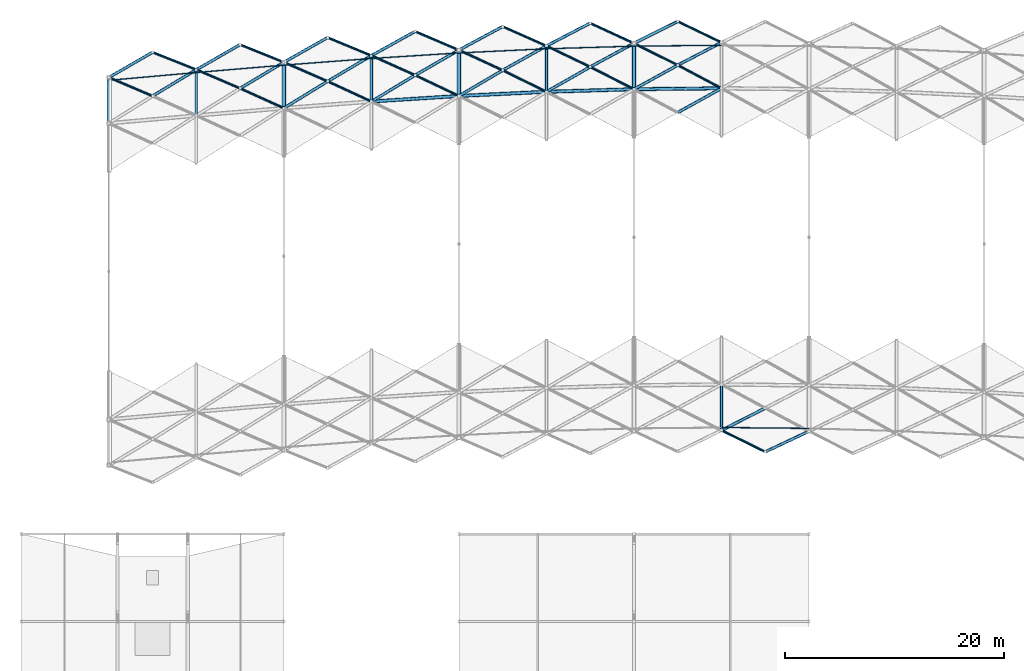
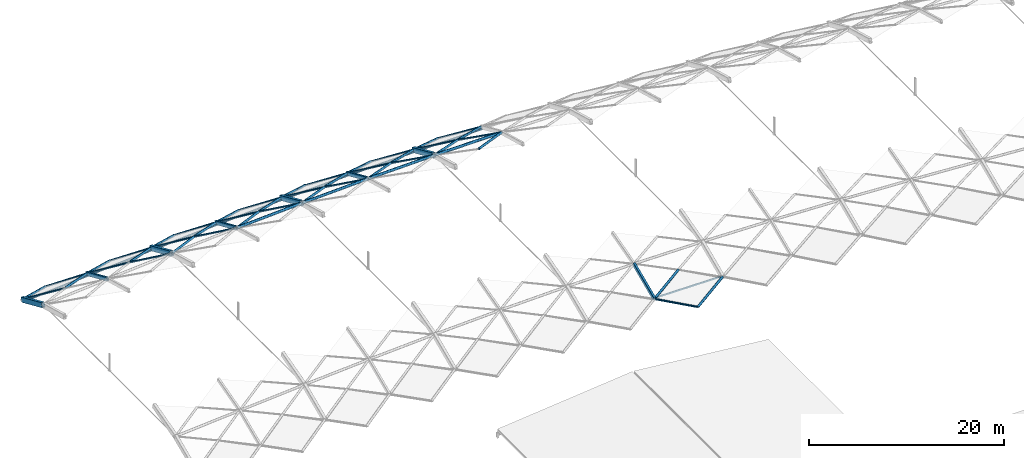
# One storey, part 9 of 54: 55 members, 8 beams.
"""IFC4 building model written with IfcOpenShell, lengths in metres."""

from ifc_helpers import new_model, si_unit, direction, frame, origin, origin_2d, place, context, subcontext, project, spatial, hollow_rectangle, hollow_circle, extrude, material, material_profile, profile_set, type_object, element, save


model = new_model("IFC4")

# Units and contexts
model_context = context("Model", 3, precision=1e-05, world=origin(), true_north=direction((0.0, 1.0)))
body_context = subcontext(model_context, "Body", "Model", "MODEL_VIEW")
ifc_project = project(units=[si_unit("LENGTHUNIT", "METRE"), si_unit("AREAUNIT", "SQUARE_METRE"), si_unit("VOLUMEUNIT", "CUBIC_METRE"), si_unit("PLANEANGLEUNIT", "RADIAN"), si_unit("MASSUNIT", "GRAM", prefix="KILO")], contexts=[model_context])

# Site, building, storey
site_placement = place(None, origin())
site = spatial("IfcSite", under=ifc_project, at=site_placement, CompositionType="ELEMENT")
building_placement = place(site_placement, origin())
building = spatial("IfcBuilding", under=site, at=building_placement, Name="Kenh Van Central Station", CompositionType="ELEMENT")
storey_placement = place(building_placement, frame((0.0, 0.0, 15.0)))
storey = spatial("IfcBuildingStorey", under=building, at=storey_placement, Name="L03", CompositionType="ELEMENT", Elevation=15.0)

# Beams
ifc_material = material(Name="White fluoropolymer structural steel S355", Category="steel")
ifc_material_profile_1 = material_profile(ifc_material, hollow_rectangle(XDim=0.35009765625, YDim=0.60009765625, WallThickness=0.01611328125, InnerFilletRadius=0.01611328125, OuterFilletRadius=0.031982421875, at=origin_2d()), Name="RHS 600x350x16")
ifc_profile_set_1 = profile_set([ifc_material_profile_1], Name="White fluoropolymer structural steel S355")
beam_type_1 = type_object("IfcBeamType", Name="BM-VAULT-ARCH600", PredefinedType="BEAM", material=ifc_profile_set_1)
for number, where, z_axis, x_axis, name in (
    (1, (32.0, 101.5341796875, 4.069091796875), (0.0, 0.91578030048, -0.401679525559), (-1.0, 0.0, 0.0), "Vault transverse arch 010"),
    (2, (48.0, 102.922607421875, 4.069091796875), (0.0, 0.91578030048, -0.401679525559), (-1.0, 0.0, 0.0), "Vault transverse arch 034"),
    (3, (64.0, 104.0361328125, 4.069091796875), (0.0, 0.91578030048, -0.401679525559), (-1.0, 0.0, 0.0), "Vault transverse arch 058"),
    (4, (80.0, 104.654052734375, 4.069091796875), (0.0, 0.91578030048, -0.401679525559), (-1.0, 0.0, 0.0), "Vault transverse arch 080"),
):
    element("IfcBeam", number, at=place(storey_placement, frame(where, z_axis=z_axis, x_axis=x_axis)), inside=storey, type_object=beam_type_1, Name=name, PredefinedType="BEAM", context=body_context, shape_type="SweptSolid", body=[
        extrude(hollow_rectangle(XDim=0.35009765625, YDim=0.60009765625, WallThickness=0.01611328125, InnerFilletRadius=0.01611328125, OuterFilletRadius=0.031982421875, at=origin_2d()), origin(), (0.0, 0.0, 1.0), 4.582275390625),
    ])
ifc_material_profile_2 = material_profile(ifc_material, hollow_rectangle(XDim=0.25, YDim=0.449951171875, WallThickness=0.012451171875, InnerFilletRadius=0.012451171875, OuterFilletRadius=0.02490234375, at=origin_2d()), Name="RHS 450x250x12.5")
ifc_profile_set_2 = profile_set([ifc_material_profile_2], Name="White fluoropolymer structural steel S355")
beam_type_2 = type_object("IfcBeamType", Name="BM-VAULT-SUB450", PredefinedType="BEAM", material=ifc_profile_set_2)
for number, where, z_axis, x_axis, name in (
    (5, (40.0, 102.246337890625, 4.069091796875), (0.0, 0.91578030048, -0.401679525559), (-1.0, 0.0, 0.0), "Vault transverse arch 022"),
    (6, (56.0, 103.529541015625, 4.069091796875), (0.0, 0.91578030048, -0.401679525559), (-1.0, 0.0, 0.0), "Vault transverse arch 046"),
    (7, (72.0, 104.41748046875, 4.069091796875), (0.0, 0.91578030048, -0.401679525559), (-1.0, 0.0, 0.0), "Vault transverse arch 069"),
    (8, (88.0, 73.469482421875, 2.228515625), (0.0, 0.91578030048, 0.401679525559), (-1.0, 0.0, 0.0), "Vault transverse arch 084"),
):
    element("IfcBeam", number, at=place(storey_placement, frame(where, z_axis=z_axis, x_axis=x_axis)), inside=storey, type_object=beam_type_2, Name=name, PredefinedType="BEAM", context=body_context, shape_type="SweptSolid", body=[
        extrude(hollow_rectangle(XDim=0.25, YDim=0.449951171875, WallThickness=0.012451171875, InnerFilletRadius=0.012451171875, OuterFilletRadius=0.02490234375, at=origin_2d()), origin(), (0.0, 0.0, 1.0), 4.582275390625),
    ])

# Members
ifc_material_profile_3 = material_profile(ifc_material, hollow_rectangle(XDim=0.10009765625, YDim=0.199951171875, WallThickness=0.008056640625, InnerFilletRadius=0.008056640625, OuterFilletRadius=0.01611328125, at=origin_2d()), Name="RHS 200x100x8")
ifc_profile_set_3 = profile_set([ifc_material_profile_3], Name="White fluoropolymer structural steel S355")
member_type_1 = type_object("IfcMemberType", Name="MEM-PUR-RHS200", PredefinedType="PURLIN", material=ifc_profile_set_3)
member_1_placement = place(storey_placement, frame((88.0, 73.732666015625, 2.13330078125), z_axis=(0.99994990606, -0.010009264196, 0.0), x_axis=(0.010009264196, 0.99994990606, 0.0)))
element("IfcMember", 9, at=member_1_placement, inside=storey, type_object=member_type_1, Name="Vault longitudinal purlin 008", PredefinedType="PURLIN", context=body_context, shape_type="SweptSolid", body=[
    extrude(hollow_rectangle(XDim=0.10009765625, YDim=0.199951171875, WallThickness=0.008056640625, InnerFilletRadius=0.008056640625, OuterFilletRadius=0.01611328125, at=origin_2d()), origin(), (0.0, 0.0, 1.0), 8.00048828125),
])
member_2_placement = place(storey_placement, frame((32.0, 105.46728515625, 2.13330078125), z_axis=(0.99606113461, 0.088669138478, 0.0), x_axis=(-0.088669138478, 0.99606113461, 0.0)))
element("IfcMember", 10, at=member_2_placement, inside=storey, type_object=member_type_1, Name="Vault longitudinal purlin 043", PredefinedType="PURLIN", context=body_context, shape_type="SweptSolid", body=[
    extrude(hollow_rectangle(XDim=0.10009765625, YDim=0.199951171875, WallThickness=0.008056640625, InnerFilletRadius=0.008056640625, OuterFilletRadius=0.01611328125, at=origin_2d()), origin(), (0.0, 0.0, 1.0), 8.03173828125),
])
member_3_placement = place(storey_placement, frame((40.0, 106.179443359375, 2.13330078125), z_axis=(0.996446063383, 0.084233264025, 0.0), x_axis=(-0.084233264025, 0.996446063383, 0.0)))
element("IfcMember", 11, at=member_3_placement, inside=storey, type_object=member_type_1, Name="Vault longitudinal purlin 044", PredefinedType="PURLIN", context=body_context, shape_type="SweptSolid", body=[
    extrude(hollow_rectangle(XDim=0.10009765625, YDim=0.199951171875, WallThickness=0.008056640625, InnerFilletRadius=0.008056640625, OuterFilletRadius=0.01611328125, at=origin_2d()), origin(), (0.0, 0.0, 1.0), 8.028564453125),
])
member_4_placement = place(storey_placement, frame((48.0, 106.855712890625, 2.13330078125), z_axis=(0.997136780926, 0.075619046039, 0.0), x_axis=(-0.075619046039, 0.997136780926, 0.0)))
element("IfcMember", 12, at=member_4_placement, inside=storey, type_object=member_type_1, Name="Vault longitudinal purlin 045", PredefinedType="PURLIN", context=body_context, shape_type="SweptSolid", body=[
    extrude(hollow_rectangle(XDim=0.10009765625, YDim=0.199951171875, WallThickness=0.008056640625, InnerFilletRadius=0.008056640625, OuterFilletRadius=0.01611328125, at=origin_2d()), origin(), (0.0, 0.0, 1.0), 8.02294921875),
])
member_5_placement = place(storey_placement, frame((56.0, 107.46240234375, 2.13330078125), z_axis=(0.997999125469, 0.063227727798, 0.0), x_axis=(-0.063227727798, 0.997999125469, 0.0)))
element("IfcMember", 13, at=member_5_placement, inside=storey, type_object=member_type_1, Name="Vault longitudinal purlin 046", PredefinedType="PURLIN", context=body_context, shape_type="SweptSolid", body=[
    extrude(hollow_rectangle(XDim=0.10009765625, YDim=0.199951171875, WallThickness=0.008056640625, InnerFilletRadius=0.008056640625, OuterFilletRadius=0.01611328125, at=origin_2d()), origin(), (0.0, 0.0, 1.0), 8.01611328125),
])
member_6_placement = place(storey_placement, frame((64.0, 107.96923828125, 2.13330078125), z_axis=(0.998867240988, 0.047583977148, 0.0), x_axis=(-0.047583977148, 0.998867240988, 0.0)))
element("IfcMember", 14, at=member_6_placement, inside=storey, type_object=member_type_1, Name="Vault longitudinal purlin 047", PredefinedType="PURLIN", context=body_context, shape_type="SweptSolid", body=[
    extrude(hollow_rectangle(XDim=0.10009765625, YDim=0.199951171875, WallThickness=0.008056640625, InnerFilletRadius=0.008056640625, OuterFilletRadius=0.01611328125, at=origin_2d()), origin(), (0.0, 0.0, 1.0), 8.009033203125),
])
member_7_placement = place(storey_placement, frame((72.0, 108.350341796875, 2.13330078125), z_axis=(0.999562147036, 0.029589089436, 0.0), x_axis=(-0.029589089436, 0.999562147036, 0.0)))
element("IfcMember", 15, at=member_7_placement, inside=storey, type_object=member_type_1, Name="Vault longitudinal purlin 048", PredefinedType="PURLIN", context=body_context, shape_type="SweptSolid", body=[
    extrude(hollow_rectangle(XDim=0.10009765625, YDim=0.199951171875, WallThickness=0.008056640625, InnerFilletRadius=0.008056640625, OuterFilletRadius=0.01611328125, at=origin_2d()), origin(), (0.0, 0.0, 1.0), 8.00341796875),
])
member_8_placement = place(storey_placement, frame((80.0, 108.587158203125, 2.13330078125), z_axis=(0.99994990606, 0.010009264196, 0.0), x_axis=(-0.010009264196, 0.99994990606, 0.0)))
element("IfcMember", 16, at=member_8_placement, inside=storey, type_object=member_type_1, Name="Vault longitudinal purlin 049", PredefinedType="PURLIN", context=body_context, shape_type="SweptSolid", body=[
    extrude(hollow_rectangle(XDim=0.10009765625, YDim=0.199951171875, WallThickness=0.008056640625, InnerFilletRadius=0.008056640625, OuterFilletRadius=0.01611328125, at=origin_2d()), origin(), (0.0, 0.0, 1.0), 8.00048828125),
])
ifc_material_profile_4 = material_profile(ifc_material, hollow_circle(Radius=0.109619140625, WallThickness=0.008056640625, at=origin_2d()), Name="CHS 219.1x8")
ifc_profile_set_4 = profile_set([ifc_material_profile_4], Name="White fluoropolymer structural steel S355")
member_type_2 = type_object("IfcMemberType", Name="MEM-VAULT-BRC219", PredefinedType="BRACE", material=ifc_profile_set_4)
member_9_placement = place(storey_placement, frame((32.0, 105.73046875, 2.228515625), z_axis=(0.896439310545, -0.381194621373, 0.226024828605), x_axis=(0.391321416564, 0.920254067602, 0.0)))
element("IfcMember", 17, at=member_9_placement, inside=storey, type_object=member_type_2, Name="Vault diamond grid member 0021", PredefinedType="BRACE", context=body_context, shape_type="SweptSolid", body=[
    extrude(hollow_circle(Radius=0.109619140625, WallThickness=0.008056640625, at=origin_2d()), origin(), (0.0, 0.0, 1.0), 4.462158203125),
])
member_10_placement = place(storey_placement, frame((36.0, 108.0341796875, 1.015625), z_axis=(0.894334547781, -0.355845148742, 0.271182497154), x_axis=(0.369698510043, 0.929151769988, 0.0)))
element("IfcMember", 18, at=member_10_placement, inside=storey, type_object=member_type_2, Name="Vault diamond grid member 0046", PredefinedType="BRACE", context=body_context, shape_type="SweptSolid", body=[
    extrude(hollow_circle(Radius=0.109619140625, WallThickness=0.008056640625, at=origin_2d()), origin(), (0.0, 0.0, 1.0), 4.47265625),
])
member_11_placement = place(storey_placement, frame((40.0, 106.442626953125, 2.228515625), z_axis=(0.895408704416, -0.383762202296, 0.22576497546), x_axis=(0.393932839869, 0.91913922649, 0.0)))
element("IfcMember", 19, at=member_11_placement, inside=storey, type_object=member_type_2, Name="Vault diamond grid member 0069", PredefinedType="BRACE", context=body_context, shape_type="SweptSolid", body=[
    extrude(hollow_circle(Radius=0.109619140625, WallThickness=0.008056640625, at=origin_2d()), origin(), (0.0, 0.0, 1.0), 4.46728515625),
])
member_12_placement = place(storey_placement, frame((44.0, 104.728271484375, 3.237060546875), z_axis=(0.895486759885, -0.404237065192, 0.186268242046), x_axis=(0.411437665721, 0.911437900916, 0.0)))
element("IfcMember", 20, at=member_12_placement, inside=storey, type_object=member_type_2, Name="Vault diamond grid member 0092", PredefinedType="BRACE", context=body_context, shape_type="SweptSolid", body=[
    extrude(hollow_circle(Radius=0.109619140625, WallThickness=0.008056640625, at=origin_2d()), origin(), (0.0, 0.0, 1.0), 4.466796875),
])
member_13_placement = place(storey_placement, frame((44.0, 108.732666015625, 1.015625), z_axis=(0.892746931457, -0.360171949275, 0.270701095915), x_axis=(0.374141086926, 0.927371795492, 0.0)))
element("IfcMember", 21, at=member_13_placement, inside=storey, type_object=member_type_2, Name="Vault diamond grid member 0094", PredefinedType="BRACE", context=body_context, shape_type="SweptSolid", body=[
    extrude(hollow_circle(Radius=0.109619140625, WallThickness=0.008056640625, at=origin_2d()), origin(), (0.0, 0.0, 1.0), 4.48046875),
])
member_14_placement = place(storey_placement, frame((48.0, 107.118896484375, 2.228515625), z_axis=(0.893030759817, -0.389610831981, 0.225165409473), x_axis=(0.399879517181, 0.916567712577, 0.0)))
element("IfcMember", 22, at=member_14_placement, inside=storey, type_object=member_type_2, Name="Vault diamond grid member 0117", PredefinedType="BRACE", context=body_context, shape_type="SweptSolid", body=[
    extrude(hollow_circle(Radius=0.109619140625, WallThickness=0.008056640625, at=origin_2d()), origin(), (0.0, 0.0, 1.0), 4.479248046875),
])
member_15_placement = place(storey_placement, frame((52.0, 105.373779296875, 3.237060546875), z_axis=(0.892343973016, -0.41142372877, 0.185614517825), x_axis=(0.418699623253, 0.908124785196, 0.0)))
element("IfcMember", 23, at=member_15_placement, inside=storey, type_object=member_type_2, Name="Vault diamond grid member 0140", PredefinedType="BRACE", context=body_context, shape_type="SweptSolid", body=[
    extrude(hollow_circle(Radius=0.109619140625, WallThickness=0.008056640625, at=origin_2d()), origin(), (0.0, 0.0, 1.0), 4.482666015625),
])
member_16_placement = place(storey_placement, frame((52.0, 109.37841796875, 1.015625), z_axis=(0.889940950612, -0.367676409588, 0.26985025895), x_axis=(0.381841864856, 0.924227672299, 0.0)))
element("IfcMember", 24, at=member_16_placement, inside=storey, type_object=member_type_2, Name="Vault diamond grid member 0142", PredefinedType="BRACE", context=body_context, shape_type="SweptSolid", body=[
    extrude(hollow_circle(Radius=0.109619140625, WallThickness=0.008056640625, at=origin_2d()), origin(), (0.0, 0.0, 1.0), 4.49462890625),
])
member_17_placement = place(storey_placement, frame((56.0, 107.725830078125, 2.228515625), z_axis=(0.889363367631, -0.398433051661, 0.224240727032), x_axis=(0.408844781129, 0.912603936515, 0.0)))
element("IfcMember", 25, at=member_17_placement, inside=storey, type_object=member_type_2, Name="Vault diamond grid member 0165", PredefinedType="BRACE", context=body_context, shape_type="SweptSolid", body=[
    extrude(hollow_circle(Radius=0.109619140625, WallThickness=0.008056640625, at=origin_2d()), origin(), (0.0, 0.0, 1.0), 4.49755859375),
])
member_18_placement = place(storey_placement, frame((60.0, 105.933837890625, 3.237060546875), z_axis=(0.887934366823, -0.42125938924, 0.184697285286), x_axis=(0.42863383799, 0.903478296878, 0.0)))
element("IfcMember", 26, at=member_18_placement, inside=storey, type_object=member_type_2, Name="Vault diamond grid member 0188", PredefinedType="BRACE", context=body_context, shape_type="SweptSolid", body=[
    extrude(hollow_circle(Radius=0.109619140625, WallThickness=0.008056640625, at=origin_2d()), origin(), (0.0, 0.0, 1.0), 4.5048828125),
])
member_19_placement = place(storey_placement, frame((60.0, 109.9384765625, 1.015625), z_axis=(0.886011806433, -0.377896148886, 0.268658853415), x_axis=(0.392319626136, 0.919828957442, 0.0)))
element("IfcMember", 27, at=member_19_placement, inside=storey, type_object=member_type_2, Name="Vault diamond grid member 0190", PredefinedType="BRACE", context=body_context, shape_type="SweptSolid", body=[
    extrude(hollow_circle(Radius=0.109619140625, WallThickness=0.008056640625, at=origin_2d()), origin(), (0.0, 0.0, 1.0), 4.5146484375),
])
member_20_placement = place(storey_placement, frame((64.0, 108.232421875, 2.228515625), z_axis=(0.884630056649, -0.409486959816, 0.223047287843), x_axis=(0.420069508038, 0.907491932976, 0.0)))
element("IfcMember", 28, at=member_20_placement, inside=storey, type_object=member_type_2, Name="Vault diamond grid member 0211", PredefinedType="BRACE", context=body_context, shape_type="SweptSolid", body=[
    extrude(hollow_circle(Radius=0.109619140625, WallThickness=0.008056640625, at=origin_2d()), origin(), (0.0, 0.0, 1.0), 4.521728515625),
])
member_21_placement = place(storey_placement, frame((68.0, 106.380859375, 3.237060546875), z_axis=(0.882438358592, -0.433140214831, 0.183554072637), x_axis=(0.440626631106, 0.897690465561, 0.0)))
element("IfcMember", 29, at=member_21_placement, inside=storey, type_object=member_type_2, Name="Vault diamond grid member 0232", PredefinedType="BRACE", context=body_context, shape_type="SweptSolid", body=[
    extrude(hollow_circle(Radius=0.109619140625, WallThickness=0.008056640625, at=origin_2d()), origin(), (0.0, 0.0, 1.0), 4.532958984375),
])
member_22_placement = place(storey_placement, frame((68.0, 110.385498046875, 1.015625), z_axis=(0.881088782516, -0.390262530195, 0.267166081026), x_axis=(0.404983477314, 0.91432400335, 0.0)))
element("IfcMember", 30, at=member_22_placement, inside=storey, type_object=member_type_2, Name="Vault diamond grid member 0234", PredefinedType="BRACE", context=body_context, shape_type="SweptSolid", body=[
    extrude(hollow_circle(Radius=0.109619140625, WallThickness=0.008056640625, at=origin_2d()), origin(), (0.0, 0.0, 1.0), 4.539794921875),
])
member_23_placement = place(storey_placement, frame((72.0, 108.61376953125, 2.228515625), z_axis=(0.878925504685, -0.422349883935, 0.221608963614), x_axis=(0.43311912469, 0.901336687275, 0.0)))
element("IfcMember", 31, at=member_23_placement, inside=storey, type_object=member_type_2, Name="Vault diamond grid member 0255", PredefinedType="BRACE", context=body_context, shape_type="SweptSolid", body=[
    extrude(hollow_circle(Radius=0.109619140625, WallThickness=0.008056640625, at=origin_2d()), origin(), (0.0, 0.0, 1.0), 4.551025390625),
])
member_24_placement = place(storey_placement, frame((76.0, 106.691650390625, 3.237060546875), z_axis=(0.876130145246, -0.446300182631, 0.182241914978), x_axis=(0.453901340056, 0.891051947697, 0.0)))
element("IfcMember", 32, at=member_24_placement, inside=storey, type_object=member_type_2, Name="Vault diamond grid member 0276", PredefinedType="BRACE", context=body_context, shape_type="SweptSolid", body=[
    extrude(hollow_circle(Radius=0.109619140625, WallThickness=0.008056640625, at=origin_2d()), origin(), (0.0, 0.0, 1.0), 4.5654296875),
])
member_25_placement = place(storey_placement, frame((76.0, 110.6962890625, 1.015625), z_axis=(0.87540504385, -0.403987886752, 0.265442642691), x_axis=(0.419019519277, 0.907977225741, 0.0)))
element("IfcMember", 33, at=member_25_placement, inside=storey, type_object=member_type_2, Name="Vault diamond grid member 0278", PredefinedType="BRACE", context=body_context, shape_type="SweptSolid", body=[
    extrude(hollow_circle(Radius=0.109619140625, WallThickness=0.008056640625, at=origin_2d()), origin(), (0.0, 0.0, 1.0), 4.5693359375),
])
member_26_placement = place(storey_placement, frame((80.0, 108.850341796875, 2.228515625), z_axis=(0.872575896967, -0.436128175065, 0.220007997459), x_axis=(0.447082561498, 0.894492696004, 0.0)))
element("IfcMember", 34, at=member_26_placement, inside=storey, type_object=member_type_2, Name="Vault diamond grid member 0299", PredefinedType="BRACE", context=body_context, shape_type="SweptSolid", body=[
    extrude(hollow_circle(Radius=0.109619140625, WallThickness=0.008056640625, at=origin_2d()), origin(), (0.0, 0.0, 1.0), 4.584228515625),
])
member_27_placement = place(storey_placement, frame((84.0, 106.85107421875, 3.237060546875), z_axis=(0.869304555822, -0.460014068541, 0.180822139053), x_axis=(0.467724120501, 0.883874508684, 0.0)))
element("IfcMember", 35, at=member_27_placement, inside=storey, type_object=member_type_2, Name="Vault diamond grid member 0320", PredefinedType="BRACE", context=body_context, shape_type="SweptSolid", body=[
    extrude(hollow_circle(Radius=0.109619140625, WallThickness=0.008056640625, at=origin_2d()), origin(), (0.0, 0.0, 1.0), 4.601318359375),
])
member_28_placement = place(storey_placement, frame((84.0, 110.855712890625, 1.015625), z_axis=(0.869217832612, -0.418321692514, 0.263566540064), x_axis=(0.433655212759, 0.901078884697, 0.0)))
element("IfcMember", 36, at=member_28_placement, inside=storey, type_object=member_type_2, Name="Vault diamond grid member 0322", PredefinedType="BRACE", context=body_context, shape_type="SweptSolid", body=[
    extrude(hollow_circle(Radius=0.109619140625, WallThickness=0.008056640625, at=origin_2d()), origin(), (0.0, 0.0, 1.0), 4.601806640625),
])
member_29_placement = place(storey_placement, frame((88.0, 73.469482421875, 2.228515625), z_axis=(0.865999829652, -0.425547157503, -0.262590768659), x_axis=(0.4410238783, 0.897495369776, 0.0)))
element("IfcMember", 37, at=member_29_placement, inside=storey, type_object=member_type_2, Name="Vault diamond grid member 0327", PredefinedType="BRACE", context=body_context, shape_type="SweptSolid", body=[
    extrude(hollow_circle(Radius=0.109619140625, WallThickness=0.008056640625, at=origin_2d()), origin(), (0.0, 0.0, 1.0), 4.618896484375),
])
ifc_material_profile_5 = material_profile(ifc_material, hollow_circle(Radius=0.136474609375, WallThickness=0.010009765625, at=origin_2d()), Name="CHS 273x10")
ifc_profile_set_5 = profile_set([ifc_material_profile_5], Name="White fluoropolymer structural steel S355")
member_type_3 = type_object("IfcMemberType", Name="MEM-VAULT-CHD273", PredefinedType="CHORD", material=ifc_profile_set_5)
member_30_placement = place(storey_placement, frame((32.0, 105.73046875, 2.228515625), z_axis=(0.838108812457, 0.482690109518, -0.25413358034), x_axis=(-0.499075182651, 0.866558689335, 0.0)))
element("IfcMember", 38, at=member_30_placement, inside=storey, type_object=member_type_3, Name="Vault diamond grid member 0020", PredefinedType="CHORD", context=body_context, shape_type="SweptSolid", body=[
    extrude(hollow_circle(Radius=0.136474609375, WallThickness=0.010009765625, at=origin_2d()), origin(), (0.0, 0.0, 1.0), 4.772705078125),
])
member_31_placement = place(storey_placement, frame((36.0, 104.029541015625, 3.237060546875), z_axis=(0.836971264543, 0.50492089714, -0.211030779653), x_axis=(-0.516553994409, 0.856254618008, 0.0)))
element("IfcMember", 39, at=member_31_placement, inside=storey, type_object=member_type_3, Name="Vault diamond grid member 0043", PredefinedType="CHORD", context=body_context, shape_type="SweptSolid", body=[
    extrude(hollow_circle(Radius=0.136474609375, WallThickness=0.010009765625, at=origin_2d()), origin(), (0.0, 0.0, 1.0), 4.779052734375),
])
member_32_placement = place(storey_placement, frame((40.0, 106.442626953125, 2.228515625), z_axis=(0.83926664542, 0.480488350466, -0.254484661526), x_axis=(-0.496846109163, 0.867838662316, 0.0)))
element("IfcMember", 40, at=member_32_placement, inside=storey, type_object=member_type_3, Name="Vault diamond grid member 0068", PredefinedType="CHORD", context=body_context, shape_type="SweptSolid", body=[
    extrude(hollow_circle(Radius=0.136474609375, WallThickness=0.010009765625, at=origin_2d()), origin(), (0.0, 0.0, 1.0), 4.76611328125),
])
member_33_placement = place(storey_placement, frame((44.0, 104.728271484375, 3.237060546875), z_axis=(0.838955204128, 0.501406821217, -0.211531002701), x_axis=(-0.513015705799, 0.858379220161, 0.0)))
element("IfcMember", 41, at=member_33_placement, inside=storey, type_object=member_type_3, Name="Vault diamond grid member 0091", PredefinedType="CHORD", context=body_context, shape_type="SweptSolid", body=[
    extrude(hollow_circle(Radius=0.136474609375, WallThickness=0.010009765625, at=origin_2d()), origin(), (0.0, 0.0, 1.0), 4.767822265625),
])
member_34_placement = place(storey_placement, frame((48.0, 102.922607421875, 4.069091796875), z_axis=(0.839541352589, 0.514465037841, -0.174631160255), x_axis=(-0.522493717722, 0.852643134577, 0.0)))
element("IfcMember", 42, at=member_34_placement, inside=storey, type_object=member_type_3, Name="Vault diamond grid member 0114", PredefinedType="CHORD", context=body_context, shape_type="SweptSolid", body=[
    extrude(hollow_circle(Radius=0.136474609375, WallThickness=0.010009765625, at=origin_2d()), origin(), (0.0, 0.0, 1.0), 4.764404296875),
])
member_35_placement = place(storey_placement, frame((48.0, 107.118896484375, 2.228515625), z_axis=(0.841843357569, 0.475540788227, -0.255265979029), x_axis=(-0.49183484869, 0.870688510096, 0.0)))
element("IfcMember", 43, at=member_35_placement, inside=storey, type_object=member_type_3, Name="Vault diamond grid member 0116", PredefinedType="CHORD", context=body_context, shape_type="SweptSolid", body=[
    extrude(hollow_circle(Radius=0.136474609375, WallThickness=0.010009765625, at=origin_2d()), origin(), (0.0, 0.0, 1.0), 4.75146484375),
])
member_36_placement = place(storey_placement, frame((52.0, 105.373779296875, 3.237060546875), z_axis=(0.842351597426, 0.495313433203, -0.212387356504), x_axis=(-0.506877562994, 0.862018060213, 0.0)))
element("IfcMember", 44, at=member_36_placement, inside=storey, type_object=member_type_3, Name="Vault diamond grid member 0139", PredefinedType="CHORD", context=body_context, shape_type="SweptSolid", body=[
    extrude(hollow_circle(Radius=0.136474609375, WallThickness=0.010009765625, at=origin_2d()), origin(), (0.0, 0.0, 1.0), 4.74853515625),
])
member_37_placement = place(storey_placement, frame((56.0, 103.529541015625, 4.069091796875), z_axis=(0.843781974882, 0.507175591347, -0.175513242822), x_axis=(-0.515172579169, 0.857086468025, 0.0)))
element("IfcMember", 45, at=member_37_placement, inside=storey, type_object=member_type_3, Name="Vault diamond grid member 0162", PredefinedType="CHORD", context=body_context, shape_type="SweptSolid", body=[
    extrude(hollow_circle(Radius=0.136474609375, WallThickness=0.010009765625, at=origin_2d()), origin(), (0.0, 0.0, 1.0), 4.740478515625),
])
member_38_placement = place(storey_placement, frame((56.0, 107.725830078125, 2.228515625), z_axis=(0.845779227011, 0.467852608301, -0.256459423815), x_axis=(-0.484041373046, 0.875045112654, 0.0)))
element("IfcMember", 46, at=member_38_placement, inside=storey, type_object=member_type_3, Name="Vault diamond grid member 0164", PredefinedType="CHORD", context=body_context, shape_type="SweptSolid", body=[
    extrude(hollow_circle(Radius=0.136474609375, WallThickness=0.010009765625, at=origin_2d()), origin(), (0.0, 0.0, 1.0), 4.729248046875),
])
member_39_placement = place(storey_placement, frame((60.0, 105.933837890625, 3.237060546875), z_axis=(0.847034732538, 0.486745117605, -0.213568144538), x_axis=(-0.498240436694, 0.867038907572, 0.0)))
element("IfcMember", 47, at=member_39_placement, inside=storey, type_object=member_type_3, Name="Vault diamond grid member 0187", PredefinedType="CHORD", context=body_context, shape_type="SweptSolid", body=[
    extrude(hollow_circle(Radius=0.136474609375, WallThickness=0.010009765625, at=origin_2d()), origin(), (0.0, 0.0, 1.0), 4.722412109375),
])
member_40_placement = place(storey_placement, frame((64.0, 104.0361328125, 4.069091796875), z_axis=(0.849143633231, 0.497752408054, -0.176628509647), x_axis=(-0.505703283597, 0.862707475891, 0.0)))
element("IfcMember", 48, at=member_40_placement, inside=storey, type_object=member_type_3, Name="Vault diamond grid member 0208", PredefinedType="CHORD", context=body_context, shape_type="SweptSolid", body=[
    extrude(hollow_circle(Radius=0.136474609375, WallThickness=0.010009765625, at=origin_2d()), origin(), (0.0, 0.0, 1.0), 4.710693359375),
])
member_41_placement = place(storey_placement, frame((64.0, 108.232421875, 2.228515625), z_axis=(0.850739603996, 0.457926792459, -0.257963522501), x_axis=(-0.473968416118, 0.880541844845, 0.0)))
element("IfcMember", 49, at=member_41_placement, inside=storey, type_object=member_type_3, Name="Vault diamond grid member 0210", PredefinedType="CHORD", context=body_context, shape_type="SweptSolid", body=[
    extrude(hollow_circle(Radius=0.136474609375, WallThickness=0.010009765625, at=origin_2d()), origin(), (0.0, 0.0, 1.0), 4.701904296875),
])
member_42_placement = place(storey_placement, frame((68.0, 106.380859375, 3.237060546875), z_axis=(0.852743744707, 0.476025042059, -0.215007593346), x_axis=(-0.48742474834, 0.873164998557, 0.0)))
element("IfcMember", 50, at=member_42_placement, inside=storey, type_object=member_type_3, Name="Vault diamond grid member 0231", PredefinedType="CHORD", context=body_context, shape_type="SweptSolid", body=[
    extrude(hollow_circle(Radius=0.136474609375, WallThickness=0.010009765625, at=origin_2d()), origin(), (0.0, 0.0, 1.0), 4.690673828125),
])
member_43_placement = place(storey_placement, frame((72.0, 104.41748046875, 4.069091796875), z_axis=(0.855448643882, 0.486358893906, -0.17794000112), x_axis=(-0.494246404949, 0.869321857079, 0.0)))
element("IfcMember", 51, at=member_43_placement, inside=storey, type_object=member_type_3, Name="Vault diamond grid member 0252", PredefinedType="CHORD", context=body_context, shape_type="SweptSolid", body=[
    extrude(hollow_circle(Radius=0.136474609375, WallThickness=0.010009765625, at=origin_2d()), origin(), (0.0, 0.0, 1.0), 4.676025390625),
])
member_44_placement = place(storey_placement, frame((72.0, 108.61376953125, 2.228515625), z_axis=(0.856548894786, 0.445944950716, -0.259725031085), x_axis=(-0.461792461528, 0.886988005824, 0.0)))
element("IfcMember", 52, at=member_44_placement, inside=storey, type_object=member_type_3, Name="Vault diamond grid member 0254", PredefinedType="CHORD", context=body_context, shape_type="SweptSolid", body=[
    extrude(hollow_circle(Radius=0.136474609375, WallThickness=0.010009765625, at=origin_2d()), origin(), (0.0, 0.0, 1.0), 4.669921875),
])
member_45_placement = place(storey_placement, frame((76.0, 106.691650390625, 3.237060546875), z_axis=(0.859130794591, 0.463649565782, -0.216618000028), x_axis=(-0.474925998402, 0.880025736011, 0.0)))
element("IfcMember", 53, at=member_45_placement, inside=storey, type_object=member_type_3, Name="Vault diamond grid member 0275", PredefinedType="CHORD", context=body_context, shape_type="SweptSolid", body=[
    extrude(hollow_circle(Radius=0.136474609375, WallThickness=0.010009765625, at=origin_2d()), origin(), (0.0, 0.0, 1.0), 4.65576171875),
])
member_46_placement = place(storey_placement, frame((80.0, 104.654052734375, 4.069091796875), z_axis=(0.862277667373, 0.473610640179, -0.179360491358), x_axis=(-0.481417587819, 0.876491361132, 0.0)))
element("IfcMember", 54, at=member_46_placement, inside=storey, type_object=member_type_3, Name="Vault diamond grid member 0296", PredefinedType="CHORD", context=body_context, shape_type="SweptSolid", body=[
    extrude(hollow_circle(Radius=0.136474609375, WallThickness=0.010009765625, at=origin_2d()), origin(), (0.0, 0.0, 1.0), 4.638916015625),
])
member_47_placement = place(storey_placement, frame((80.0, 108.850341796875, 2.228515625), z_axis=(0.862810343047, 0.432563730334, -0.261623644059), x_axis=(-0.448173631869, 0.893946528433, 0.0)))
element("IfcMember", 55, at=member_47_placement, inside=storey, type_object=member_type_3, Name="Vault diamond grid member 0298", PredefinedType="CHORD", context=body_context, shape_type="SweptSolid", body=[
    extrude(hollow_circle(Radius=0.136474609375, WallThickness=0.010009765625, at=origin_2d()), origin(), (0.0, 0.0, 1.0), 4.635986328125),
])
member_48_placement = place(storey_placement, frame((84.0, 102.52294921875, 4.74560546875), z_axis=(0.865726345615, 0.47862239005, -0.146418927228), x_axis=(-0.483836857844, 0.875158211406, 0.0)))
element("IfcMember", 56, at=member_48_placement, inside=storey, type_object=member_type_3, Name="Vault diamond grid member 0317", PredefinedType="CHORD", context=body_context, shape_type="SweptSolid", body=[
    extrude(hollow_circle(Radius=0.136474609375, WallThickness=0.010009765625, at=origin_2d()), origin(), (0.0, 0.0, 1.0), 4.620361328125),
])
member_49_placement = place(storey_placement, frame((84.0, 106.85107421875, 3.237060546875), z_axis=(0.865852451249, 0.450154490951, -0.2183127732), x_axis=(-0.461281121319, 0.887254037531, 0.0)))
element("IfcMember", 57, at=member_49_placement, inside=storey, type_object=member_type_3, Name="Vault diamond grid member 0319", PredefinedType="CHORD", context=body_context, shape_type="SweptSolid", body=[
    extrude(hollow_circle(Radius=0.136474609375, WallThickness=0.010009765625, at=origin_2d()), origin(), (0.0, 0.0, 1.0), 4.61962890625),
])
member_50_placement = place(storey_placement, frame((88.0, 73.469482421875, 2.228515625), z_axis=(0.869258427857, 0.443118065763, 0.219171543303), x_axis=(-0.45416036637, 0.890919952419, 0.0)))
element("IfcMember", 58, at=member_50_placement, inside=storey, type_object=member_type_3, Name="Vault diamond grid member 0326", PredefinedType="CHORD", context=body_context, shape_type="SweptSolid", body=[
    extrude(hollow_circle(Radius=0.136474609375, WallThickness=0.010009765625, at=origin_2d()), origin(), (0.0, 0.0, 1.0), 4.6015625),
])
member_51_placement = place(storey_placement, frame((92.0, 71.50390625, 1.015625), z_axis=(0.872346525642, 0.411148673768, 0.264515230676), x_axis=(-0.426334049759, 0.904565795294, 0.0)))
element("IfcMember", 59, at=member_51_placement, inside=storey, type_object=member_type_3, Name="Vault diamond grid member 0347", PredefinedType="CHORD", context=body_context, shape_type="SweptSolid", body=[
    extrude(hollow_circle(Radius=0.136474609375, WallThickness=0.010009765625, at=origin_2d()), origin(), (0.0, 0.0, 1.0), 4.58544921875),
])
ifc_material_profile_6 = material_profile(ifc_material, hollow_circle(Radius=0.161865234375, WallThickness=0.010009765625, at=origin_2d()), Name="CHS 323.9x10")
ifc_profile_set_6 = profile_set([ifc_material_profile_6], Name="White fluoropolymer structural steel S355")
member_type_4 = type_object("IfcMemberType", Name="MEM-VAULT-CHD324", PredefinedType="CHORD", material=ifc_profile_set_6)
member_52_placement = place(storey_placement, frame((56.0, 103.529541015625, 4.069091796875), z_axis=(0.998001046855, 0.063197392951, 0.0), x_axis=(-0.063197392951, 0.998001046855, 0.0)))
element("IfcMember", 60, at=member_52_placement, inside=storey, type_object=member_type_4, Name="Vault longitudinal spine chord 32", PredefinedType="CHORD", context=body_context, shape_type="SweptSolid", body=[
    extrude(hollow_circle(Radius=0.161865234375, WallThickness=0.010009765625, at=origin_2d()), origin(), (0.0, 0.0, 1.0), 8.01611328125),
])
member_53_placement = place(storey_placement, frame((64.0, 104.0361328125, 4.069091796875), z_axis=(0.998865791667, 0.04761439107, 0.0), x_axis=(-0.04761439107, 0.998865791667, 0.0)))
element("IfcMember", 61, at=member_53_placement, inside=storey, type_object=member_type_4, Name="Vault longitudinal spine chord 33", PredefinedType="CHORD", context=body_context, shape_type="SweptSolid", body=[
    extrude(hollow_circle(Radius=0.161865234375, WallThickness=0.010009765625, at=origin_2d()), origin(), (0.0, 0.0, 1.0), 8.009033203125),
])
member_54_placement = place(storey_placement, frame((72.0, 104.41748046875, 4.069091796875), z_axis=(0.999563048769, 0.029558611885, 0.0), x_axis=(-0.029558611885, 0.999563048769, 0.0)))
element("IfcMember", 62, at=member_54_placement, inside=storey, type_object=member_type_4, Name="Vault longitudinal spine chord 34", PredefinedType="CHORD", context=body_context, shape_type="SweptSolid", body=[
    extrude(hollow_circle(Radius=0.161865234375, WallThickness=0.010009765625, at=origin_2d()), origin(), (0.0, 0.0, 1.0), 8.00341796875),
])
member_55_placement = place(storey_placement, frame((80.0, 104.654052734375, 4.069091796875), z_axis=(0.999949600167, 0.010039777175, 0.0), x_axis=(-0.010039777175, 0.999949600167, 0.0)))
element("IfcMember", 63, at=member_55_placement, inside=storey, type_object=member_type_4, Name="Vault longitudinal spine chord 35", PredefinedType="CHORD", context=body_context, shape_type="SweptSolid", body=[
    extrude(hollow_circle(Radius=0.161865234375, WallThickness=0.010009765625, at=origin_2d()), origin(), (0.0, 0.0, 1.0), 8.00048828125),
])

save(model, "model.ifc")
